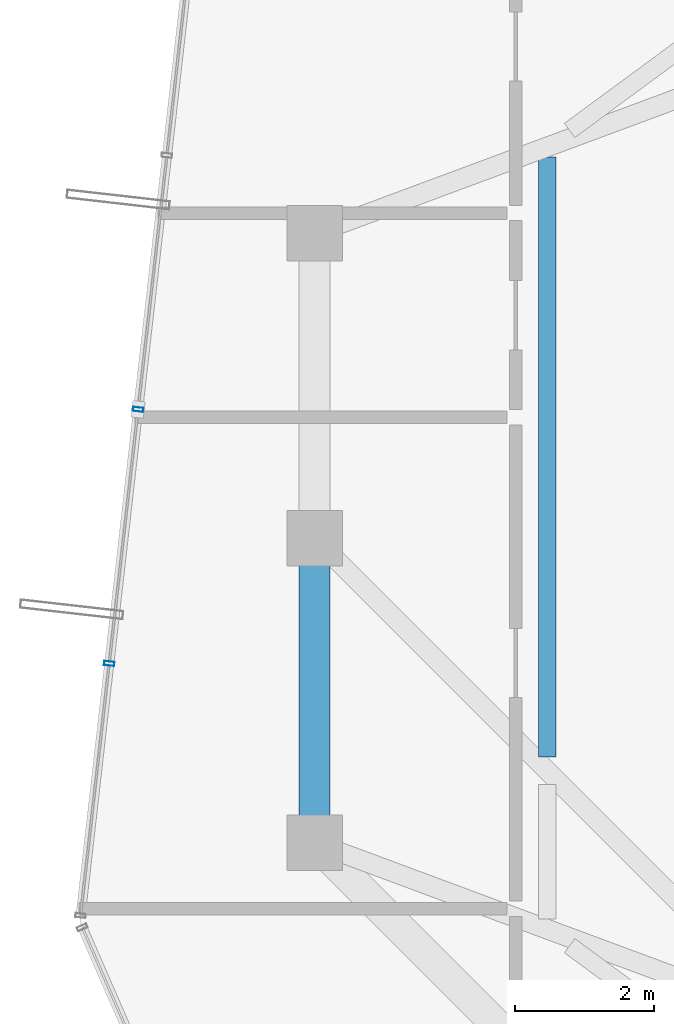
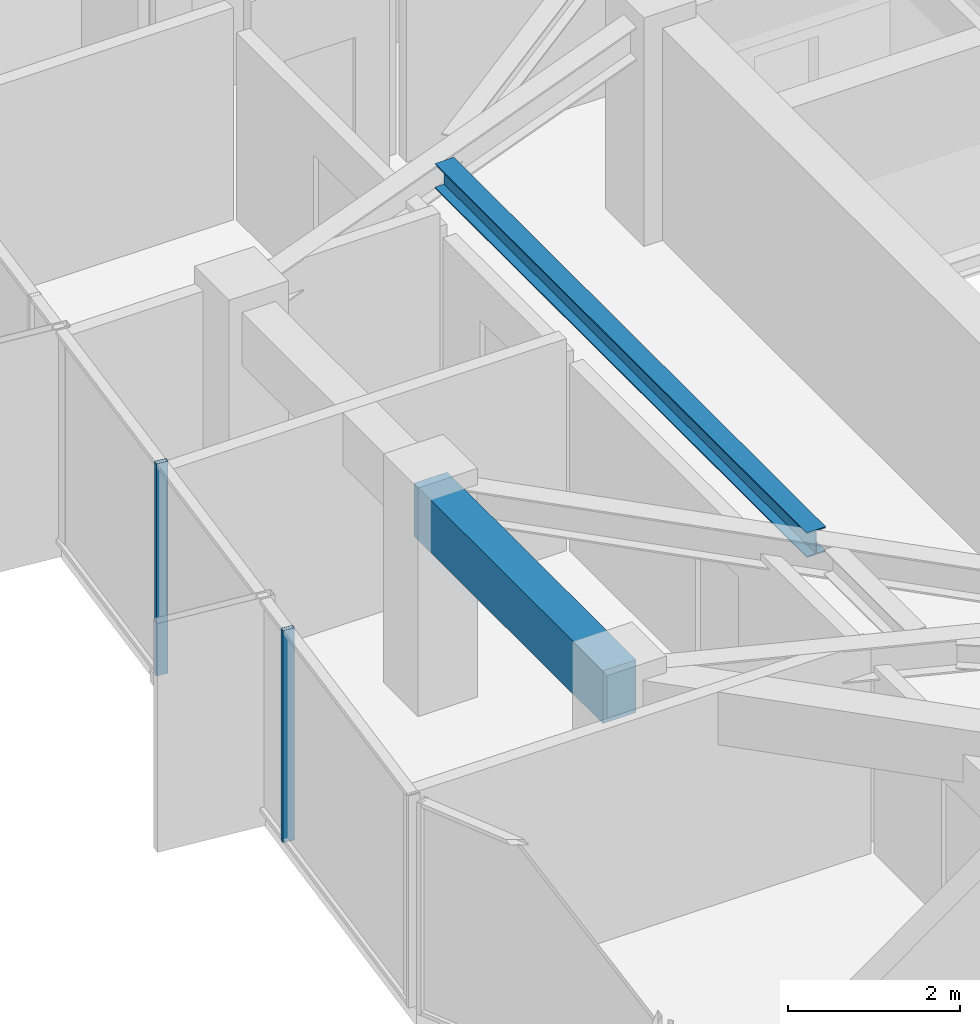
# One storey, part 12 of 30: 2 beams, 2 members, 1 element without a shape of its own.
"""IFC4 building model written with IfcOpenShell, lengths in metres."""

from ifc_helpers import new_model, si_unit, direction, frame, origin, origin_2d, place, context, subcontext, project, spatial, rectangle, hollow_rectangle, i_section, extrude, source, transform, mapped, material, layer, layer_set, material_profile, profile_set, type_object, element, aggregate, save


model = new_model("IFC4")

# Units and contexts
model_context = context("Model", 3, precision=1e-05, world=origin(), true_north=direction((0.0, 1.0)))
body_context = subcontext(model_context, "Body", "Model", "MODEL_VIEW")
ifc_project = project(units=[si_unit("LENGTHUNIT", "METRE"), si_unit("AREAUNIT", "SQUARE_METRE"), si_unit("VOLUMEUNIT", "CUBIC_METRE"), si_unit("PLANEANGLEUNIT", "RADIAN"), si_unit("MASSUNIT", "GRAM", prefix="KILO")], contexts=[model_context])

# Site, building, storey
site_placement = place(None, origin())
site = spatial("IfcSite", under=ifc_project, at=site_placement, CompositionType="ELEMENT")
building_placement = place(site_placement, origin())
building = spatial("IfcBuilding", under=site, at=building_placement, Name="Veraguas Prism Commons", CompositionType="ELEMENT")
storey_placement = place(building_placement, frame((0.0, 0.0, 230.050048828125)))
storey = spatial("IfcBuildingStorey", under=building, at=storey_placement, Name="L65", CompositionType="ELEMENT", Elevation=230.050048828125)

# Beams
ifc_material_1 = material(Name="Concrete C50/60", Category="concrete")
ifc_material_profile_1 = material_profile(ifc_material_1, rectangle(XDim=0.449951171875, YDim=0.75, at=origin_2d()), Name="RC450X750")
ifc_profile_set_1 = profile_set([ifc_material_profile_1], Name="Concrete C50/60")
beam_type_1 = type_object("IfcBeamType", Name="Perimeter Spandrel Upper RC 450x750", PredefinedType="SPANDREL", material=ifc_profile_set_1)
beam_1_placement = place(storey_placement, frame((10.199951171875, 24.0, 2.639892578125), z_axis=(0.0, -1.0, 0.0), x_axis=(1.0, 0.0, 0.0)))
element("IfcBeam", 1, at=beam_1_placement, inside=storey, type_object=beam_type_1, Name="Perimeter Spandrel Beam L65-SP08", PredefinedType="SPANDREL", context=body_context, shape_type="SweptSolid", body=[
    extrude(rectangle(XDim=0.449951171875, YDim=0.75, at=origin_2d()), origin(), (0.0, 0.0, 1.0), 4.39990234375),
])
ifc_material_2 = material(Name="Steel ASTM A992 Grade 50", Category="steel")
ifc_material_profile_2 = material_profile(ifc_material_2, i_section(OverallWidth=0.25390625, OverallDepth=0.35302734375, WebThickness=0.009521484375, FlangeThickness=0.016357421875, at=origin_2d()), Name="W360X91")
ifc_profile_set_2 = profile_set([ifc_material_profile_2], Name="Steel ASTM A992 Grade 50")
beam_type_2 = type_object("IfcBeamType", Name="Upper Floor Joist W360x91", PredefinedType="JOIST", material=ifc_profile_set_2)
beam_2_placement = place(storey_placement, frame((13.56005859375, 29.499267578125, 2.83837890625), z_axis=(0.0, -1.0, 0.0), x_axis=(1.0, 0.0, 0.0)))
element("IfcBeam", 2, at=beam_2_placement, inside=storey, type_object=beam_type_2, Name="Composite Floor Joist L65-JS07", PredefinedType="JOIST", context=body_context, shape_type="SweptSolid", body=[
    extrude(i_section(OverallWidth=0.25390625, OverallDepth=0.35302734375, WebThickness=0.009521484375, FlangeThickness=0.016357421875, at=origin_2d()), origin(), (0.0, 0.0, 1.0), 8.661865234375),
])

# Curtain wall, members
ifc_material_3 = material(Name="Anodised aluminium EN AW-6063 T6", Category="aluminium")
ifc_layer = layer(ifc_material_3, 0.14990234375, Name="Unitised Flush Curtain Wall Zone 4", Category="aluminium")
ifc_layer_set = layer_set([ifc_layer], Name="Anodised aluminium EN AW-6063 T6")
curtain_wall_type = type_object("IfcCurtainWallType", Name="Unitised Flush Curtain Wall Zone 4", PredefinedType="NOTDEFINED", material=ifc_layer_set)
curtain_wall_placement = place(storey_placement, origin())
curtain_wall = element("IfcCurtainWall", 3, at=curtain_wall_placement, inside=storey, type_object=curtain_wall_type, Name="Tower Facade Curtain Wall L65-F3", PredefinedType="NOTDEFINED")
ifc_material_profile_3 = material_profile(ifc_material_3, hollow_rectangle(XDim=0.06005859375, YDim=0.14990234375, WallThickness=0.0029296875, at=origin_2d()), Name="AL60X150X3")
ifc_profile_set_3 = profile_set([ifc_material_profile_3], Name="Anodised aluminium EN AW-6063 T6")
member_type = type_object("IfcMemberType", Name="Curtain Wall Mullion Upper AL 60x150x3", PredefinedType="MULLION", material=ifc_profile_set_3)
shared_shape = source(origin(), body_context, "Body", "SweptSolid", [
    extrude(hollow_rectangle(XDim=0.06005859375, YDim=0.14990234375, WallThickness=0.0029296875, at=origin_2d()), origin(), (0.0, 0.0, 1.0), 3.014892578125),
])
member_1_placement = place(storey_placement, frame((7.650634765625, 25.85693359375, 0.0), z_axis=(0.0, 0.0, 1.0), x_axis=(-0.112858119052, -0.993611113547, 0.0)))
member_1 = element("IfcMember", 4, at=member_1_placement, type_object=member_type, Name="CW-Z4 Mullion 3", PredefinedType="MULLION", context=body_context, shape_type="MappedRepresentation", body=[
    mapped(shared_shape, transform((0.0, 0.0, 0.0), scale=1.0)),
])
member_2_placement = place(storey_placement, frame((7.234130859375, 22.18896484375, 0.0), z_axis=(0.0, 0.0, 1.0), x_axis=(-0.112858119052, -0.993611113547, 0.0)))
member_2 = element("IfcMember", 5, at=member_2_placement, type_object=member_type, Name="CW-Z4 Mullion 4", PredefinedType="MULLION", context=body_context, shape_type="MappedRepresentation", body=[
    mapped(shared_shape, transform((0.0, 0.0, 0.0), scale=1.0)),
])
aggregate(curtain_wall, [member_1, member_2])

save(model, "model.ifc")
